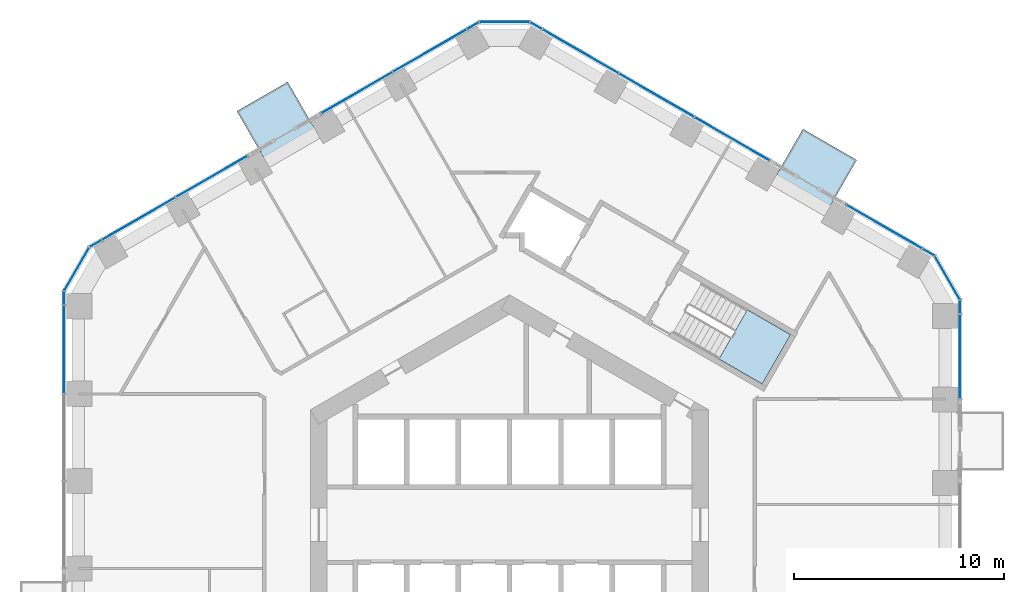
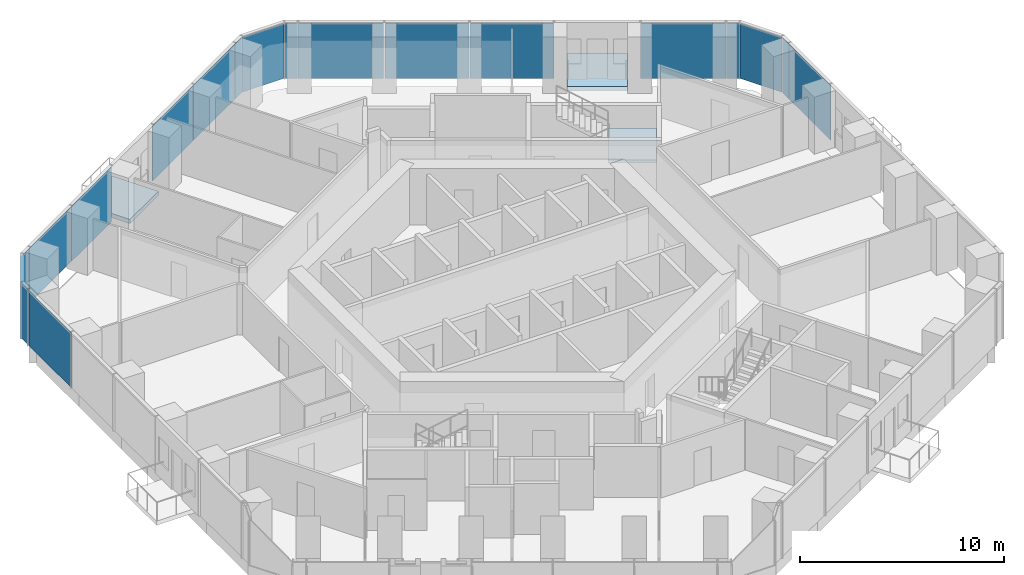
# One storey, part 11 of 19: 19 plates, 3 slabs, 10 elements without a shape of their own.
"""IFC4 building model written with IfcOpenShell, lengths in metres."""

from ifc_helpers import new_model, si_unit, direction, frame, origin, origin_2d, place, context, subcontext, project, spatial, polyline, rectangle, outline, extrude, material, layer, layer_set, type_object, element, aggregate, save


model = new_model("IFC4")

# Units and contexts
model_context = context("Model", 3, precision=1e-05, world=origin(), true_north=direction((0.0, 1.0)))
body_context = subcontext(model_context, "Body", "Model", "MODEL_VIEW")
ifc_project = project(units=[si_unit("LENGTHUNIT", "METRE"), si_unit("AREAUNIT", "SQUARE_METRE"), si_unit("VOLUMEUNIT", "CUBIC_METRE"), si_unit("PLANEANGLEUNIT", "RADIAN"), si_unit("MASSUNIT", "GRAM", prefix="KILO")], contexts=[model_context])

# Site, building, storey
site_placement = place(None, origin())
site = spatial("IfcSite", under=ifc_project, at=site_placement, CompositionType="ELEMENT")
building_placement = place(site_placement, origin())
building = spatial("IfcBuilding", under=site, at=building_placement, Name="Ayvan Gate Tower", CompositionType="ELEMENT")
storey_placement = place(building_placement, frame((0.0, 0.0, 39.10009765625)))
storey = spatial("IfcBuildingStorey", under=building, at=storey_placement, Name="L09", CompositionType="ELEMENT", Elevation=39.10009765625)

# Slabs
ifc_material_1 = material(Name="Concrete C40/50", Category="concrete")
ifc_layer_1 = layer(ifc_material_1, 0.25)
ifc_layer_set_1 = layer_set([ifc_layer_1], Name="Concrete C40/50")
slab_type_1 = type_object("IfcSlabType", Name="Balcony slab 250", PredefinedType="FLOOR", material=ifc_layer_set_1)
slab_1_placement = place(storey_placement, frame((0.0, 0.0, -0.25)))
element("IfcSlab", 1, at=slab_1_placement, inside=storey, type_object=slab_type_1, Name="Balcony slab BAL-L09-2", PredefinedType="FLOOR", context=body_context, shape_type="SweptSolid", body=[
    extrude(outline(polyline([(-9.180908203125, 18.699462890625), (-11.603759765625, 17.300537109375), (-13.003662109375, 19.7255859375), (-10.580810546875, 21.124267578125), (-9.180908203125, 18.699462890625)])), origin(), (0.0, 0.0, 1.0), 0.25),
])
slab_2_placement = place(storey_placement, frame((0.0, 0.0, -0.25)))
element("IfcSlab", 2, at=slab_2_placement, inside=storey, type_object=slab_type_1, Name="Balcony slab BAL-L09-1", PredefinedType="FLOOR", context=body_context, shape_type="SweptSolid", body=[
    extrude(outline(polyline([(15.16064453125, 14.972900390625), (12.595458984375, 16.453857421875), (13.995361328125, 18.87890625), (16.560546875, 17.397705078125), (15.16064453125, 14.972900390625)])), origin(), (0.0, 0.0, 1.0), 0.25),
])

# Stair, slab
stair_type = type_object("IfcStairType", Name="ST-EXIT", PredefinedType="HALF_TURN_STAIR", material=ifc_material_1)
stair_placement = place(storey_placement, origin())
stair = element("IfcStair", 3, at=stair_placement, inside=storey, type_object=stair_type, Name="L09 Exit Stair S1", PredefinedType="HALF_TURN_STAIR")
ifc_layer_2 = layer(ifc_material_1, 0.199951171875)
ifc_layer_set_2 = layer_set([ifc_layer_2], Name="Concrete C40/50")
slab_type_2 = type_object("IfcSlabType", Name="SL-LANDING-200", PredefinedType="LANDING", material=ifc_layer_set_2)
slab_3_placement = place(storey_placement, frame((0.0, 0.0, 1.5)))
slab_3 = element("IfcSlab", 4, at=slab_3_placement, type_object=slab_type_2, Name="STS1 landing 1", PredefinedType="LANDING", context=body_context, shape_type="SweptSolid", body=[
    extrude(outline(polyline([(9.988525390625, 7.91064453125), (12.049560546875, 6.720458984375), (13.404541015625, 9.0673828125), (11.343505859375, 10.257568359375), (9.988525390625, 7.91064453125)])), origin(), (0.0, 0.0, 1.0), 0.199951171875),
])
aggregate(stair, [slab_3])

# Curtain wall, plates
ifc_material_2 = material(Name="Bronze anodised aluminium", Category="aluminium")
ifc_layer_3 = layer(ifc_material_2, 0.199951171875)
ifc_layer_set_3 = layer_set([ifc_layer_3], Name="Bronze anodised aluminium")
curtain_wall_type_1 = type_object("IfcCurtainWallType", Name="Stick curtain wall CW-1", PredefinedType="NOTDEFINED", material=ifc_layer_set_3)
curtain_wall_1_placement = place(storey_placement, origin())
curtain_wall_1 = element("IfcCurtainWall", 5, at=curtain_wall_1_placement, inside=storey, type_object=curtain_wall_type_1, Name="Stick curtain wall CW-1 L09", PredefinedType="NOTDEFINED")
ifc_material_3 = material(Name="Clear low-iron laminated glass", Category="glass")
ifc_layer_4 = layer(ifc_material_3, 0.028076171875)
ifc_layer_set_4 = layer_set([ifc_layer_4], Name="Clear low-iron laminated glass")
plate_type_1 = type_object("IfcPlateType", Name="Stick curtain wall CW-1 glass panel", PredefinedType="CURTAIN_PANEL", material=ifc_layer_set_4)
plate_1_placement = place(storey_placement, frame((-3.787353515625, 22.621826171875, 0.0), z_axis=(0.0, 0.0, 1.0), x_axis=(-0.866025403784, -0.5, 0.0)))
plate_1 = element("IfcPlate", 6, at=plate_1_placement, type_object=plate_type_1, Name="CW-1 glass panel 1", PredefinedType="CURTAIN_PANEL", context=body_context, shape_type="SweptSolid", body=[
    extrude(rectangle(XDim=4.050048828125, YDim=0.028076171875, at=origin_2d()), origin(), (0.0, 0.0, 1.0), 3.280029296875),
])
plate_2_placement = place(storey_placement, frame((-7.2919921875, 20.59814453125, 0.0), z_axis=(0.0, 0.0, 1.0), x_axis=(-0.866025403784, -0.5, 0.0)))
plate_2 = element("IfcPlate", 7, at=plate_2_placement, type_object=plate_type_1, Name="CW-1 glass panel 2", PredefinedType="CURTAIN_PANEL", context=body_context, shape_type="SweptSolid", body=[
    extrude(rectangle(XDim=3.924072265625, YDim=0.028076171875, at=origin_2d()), origin(), (0.0, 0.0, 1.0), 3.280029296875),
])
aggregate(curtain_wall_1, [plate_1, plate_2])

curtain_wall_2_placement = place(storey_placement, origin())
curtain_wall_2 = element("IfcCurtainWall", 8, at=curtain_wall_2_placement, inside=storey, type_object=curtain_wall_type_1, Name="Stick curtain wall CW-1 L09", PredefinedType="NOTDEFINED")
plate_3_placement = place(storey_placement, frame((-14.192626953125, 16.6142578125, 0.0), z_axis=(0.0, 0.0, 1.0), x_axis=(-0.866025403784, -0.5, 0.0)))
plate_3 = element("IfcPlate", 9, at=plate_3_placement, type_object=plate_type_1, Name="CW-1 glass panel 1", PredefinedType="CURTAIN_PANEL", context=body_context, shape_type="SweptSolid", body=[
    extrude(rectangle(XDim=3.924072265625, YDim=0.028076171875, at=origin_2d()), origin(), (0.0, 0.0, 1.0), 3.280029296875),
])
plate_4_placement = place(storey_placement, frame((-17.697265625, 14.5908203125, 0.0), z_axis=(0.0, 0.0, 1.0), x_axis=(-0.866025403784, -0.5, 0.0)))
plate_4 = element("IfcPlate", 10, at=plate_4_placement, type_object=plate_type_1, Name="CW-1 glass panel 2", PredefinedType="CURTAIN_PANEL", context=body_context, shape_type="SweptSolid", body=[
    extrude(rectangle(XDim=4.050048828125, YDim=0.028076171875, at=origin_2d()), origin(), (0.0, 0.0, 1.0), 3.280029296875),
])
aggregate(curtain_wall_2, [plate_3, plate_4])

# Curtain wall, plate
curtain_wall_3_placement = place(storey_placement, origin())
curtain_wall_3 = element("IfcCurtainWall", 11, at=curtain_wall_3_placement, inside=storey, type_object=curtain_wall_type_1, Name="Stick curtain wall CW-1 L09", PredefinedType="NOTDEFINED")
plate_5_placement = place(storey_placement, frame((-21.247314453125, 8.375244140625, 0.0), z_axis=(0.0, 0.0, 1.0), x_axis=(0.0, -1.0, 0.0)))
plate_5 = element("IfcPlate", 12, at=plate_5_placement, type_object=plate_type_1, Name="CW-1 glass panel 1", PredefinedType="CURTAIN_PANEL", context=body_context, shape_type="SweptSolid", body=[
    extrude(rectangle(XDim=4.18408203125, YDim=0.028076171875, at=origin_2d()), origin(), (0.0, 0.0, 1.0), 3.280029296875),
])
aggregate(curtain_wall_3, [plate_5])

curtain_wall_4_placement = place(storey_placement, origin())
curtain_wall_4 = element("IfcCurtainWall", 13, at=curtain_wall_4_placement, inside=storey, type_object=curtain_wall_type_1, Name="Stick curtain wall CW-1 L09", PredefinedType="NOTDEFINED")
plate_6_placement = place(storey_placement, frame((21.484619140625, 8.031005859375, 0.0), z_axis=(0.0, 0.0, 1.0), x_axis=(0.0, 1.0, 0.0)))
plate_6 = element("IfcPlate", 14, at=plate_6_placement, type_object=plate_type_1, Name="CW-1 glass panel 1", PredefinedType="CURTAIN_PANEL", context=body_context, shape_type="SweptSolid", body=[
    extrude(rectangle(XDim=4.050048828125, YDim=0.028076171875, at=origin_2d()), origin(), (0.0, 0.0, 1.0), 3.280029296875),
])
aggregate(curtain_wall_4, [plate_6])

curtain_wall_5_placement = place(storey_placement, origin())
curtain_wall_5 = element("IfcCurtainWall", 15, at=curtain_wall_5_placement, inside=storey, type_object=curtain_wall_type_1, Name="Stick curtain wall CW-1 L09", PredefinedType="NOTDEFINED")
plate_7_placement = place(storey_placement, frame((17.876708984375, 14.213134765625, 0.0), z_axis=(0.0, 0.0, 1.0), x_axis=(-0.866025403784, 0.5, 0.0)))
plate_7 = element("IfcPlate", 16, at=plate_7_placement, type_object=plate_type_1, Name="CW-1 glass panel 1", PredefinedType="CURTAIN_PANEL", context=body_context, shape_type="SweptSolid", body=[
    extrude(rectangle(XDim=4.18408203125, YDim=0.028076171875, at=origin_2d()), origin(), (0.0, 0.0, 1.0), 3.280029296875),
])
aggregate(curtain_wall_5, [plate_7])

# Curtain wall, plates
curtain_wall_6_placement = place(storey_placement, origin())
curtain_wall_6 = element("IfcCurtainWall", 17, at=curtain_wall_6_placement, inside=storey, type_object=curtain_wall_type_1, Name="Stick curtain wall CW-1 L09", PredefinedType="NOTDEFINED")
plate_8_placement = place(storey_placement, frame((10.623291015625, 18.40087890625, 0.0), z_axis=(0.0, 0.0, 1.0), x_axis=(-0.866025403784, 0.5, 0.0)))
plate_8 = element("IfcPlate", 18, at=plate_8_placement, type_object=plate_type_1, Name="CW-1 glass panel 1", PredefinedType="CURTAIN_PANEL", context=body_context, shape_type="SweptSolid", body=[
    extrude(rectangle(XDim=4.10888671875, YDim=0.028076171875, at=origin_2d()), origin(), (0.0, 0.0, 1.0), 3.280029296875),
])
plate_9_placement = place(storey_placement, frame((7.01318359375, 20.485107421875, 0.0), z_axis=(0.0, 0.0, 1.0), x_axis=(-0.866025403784, 0.5, 0.0)))
plate_9 = element("IfcPlate", 19, at=plate_9_placement, type_object=plate_type_1, Name="CW-1 glass panel 2", PredefinedType="CURTAIN_PANEL", context=body_context, shape_type="SweptSolid", body=[
    extrude(rectangle(XDim=4.10791015625, YDim=0.028076171875, at=origin_2d()), origin(), (0.0, 0.0, 1.0), 3.280029296875),
])
plate_10_placement = place(storey_placement, frame((3.37060546875, 22.588134765625, 0.0), z_axis=(0.0, 0.0, 1.0), x_axis=(-0.866025403784, 0.5, 0.0)))
plate_10 = element("IfcPlate", 20, at=plate_10_placement, type_object=plate_type_1, Name="CW-1 glass panel 3", PredefinedType="CURTAIN_PANEL", context=body_context, shape_type="SweptSolid", body=[
    extrude(rectangle(XDim=4.184326171875, YDim=0.028076171875, at=origin_2d()), origin(), (0.0, 0.0, 1.0), 3.280029296875),
])
aggregate(curtain_wall_6, [plate_8, plate_9, plate_10])

ifc_layer_5 = layer(ifc_material_2, 0.199951171875)
ifc_layer_set_5 = layer_set([ifc_layer_5], Name="Bronze anodised aluminium")
curtain_wall_type_2 = type_object("IfcCurtainWallType", Name="Stick curtain wall CW-6", PredefinedType="NOTDEFINED", material=ifc_layer_set_5)
curtain_wall_7_placement = place(storey_placement, origin())
curtain_wall_7 = element("IfcCurtainWall", 21, at=curtain_wall_7_placement, inside=storey, type_object=curtain_wall_type_2, Name="Stick curtain wall CW-6 L09", PredefinedType="NOTDEFINED")
ifc_layer_6 = layer(ifc_material_3, 0.028076171875)
ifc_layer_set_6 = layer_set([ifc_layer_6], Name="Clear low-iron laminated glass")
plate_type_2 = type_object("IfcPlateType", Name="Stick curtain wall CW-6 glass panel", PredefinedType="CURTAIN_PANEL", material=ifc_layer_set_6)
plate_11_placement = place(storey_placement, frame((-19.74755859375, 13.406982421875, 0.0), z_axis=(0.0, 0.0, 1.0), x_axis=(-0.866025403784, -0.5, 0.0)))
plate_11 = element("IfcPlate", 22, at=plate_11_placement, type_object=plate_type_2, Name="CW-6 glass panel 1", PredefinedType="CURTAIN_PANEL", context=body_context, shape_type="SweptSolid", body=[
    extrude(rectangle(XDim=0.625, YDim=0.028076171875, at=origin_2d()), origin(), (0.0, 0.0, 1.0), 3.280029296875),
])
plate_12_placement = place(storey_placement, frame((-20.6435546875, 12.192626953125, 0.0), z_axis=(0.0, 0.0, 1.0), x_axis=(-0.5, -0.866025403784, 0.0)))
plate_12 = element("IfcPlate", 23, at=plate_12_placement, type_object=plate_type_2, Name="CW-6 glass panel 2", PredefinedType="CURTAIN_PANEL", context=body_context, shape_type="SweptSolid", body=[
    extrude(rectangle(XDim=2.364501953125, YDim=0.028076171875, at=origin_2d()), origin(), (0.0, 0.0, 1.0), 3.280029296875),
])
plate_13_placement = place(storey_placement, frame((-21.247314453125, 10.8095703125, 0.0), z_axis=(0.0, 0.0, 1.0), x_axis=(0.0, -1.0, 0.0)))
plate_13 = element("IfcPlate", 24, at=plate_13_placement, type_object=plate_type_2, Name="CW-6 glass panel 3", PredefinedType="CURTAIN_PANEL", context=body_context, shape_type="SweptSolid", body=[
    extrude(rectangle(XDim=0.625, YDim=0.028076171875, at=origin_2d()), origin(), (0.0, 0.0, 1.0), 3.280029296875),
])
aggregate(curtain_wall_7, [plate_11, plate_12, plate_13])

curtain_wall_8_placement = place(storey_placement, origin())
curtain_wall_8 = element("IfcCurtainWall", 25, at=curtain_wall_8_placement, inside=storey, type_object=curtain_wall_type_2, Name="Stick curtain wall CW-6 L09", PredefinedType="NOTDEFINED")
plate_14_placement = place(storey_placement, frame((21.484619140625, 10.3984375, 0.0), z_axis=(0.0, 0.0, 1.0), x_axis=(0.0, 1.0, 0.0)))
plate_14 = element("IfcPlate", 26, at=plate_14_placement, type_object=plate_type_2, Name="CW-6 glass panel 1", PredefinedType="CURTAIN_PANEL", context=body_context, shape_type="SweptSolid", body=[
    extrude(rectangle(XDim=0.625, YDim=0.028076171875, at=origin_2d()), origin(), (0.0, 0.0, 1.0), 3.280029296875),
])
plate_15_placement = place(storey_placement, frame((20.880859375, 11.781494140625, 0.0), z_axis=(0.0, 0.0, 1.0), x_axis=(-0.5, 0.866025403784, 0.0)))
plate_15 = element("IfcPlate", 27, at=plate_15_placement, type_object=plate_type_2, Name="CW-6 glass panel 2", PredefinedType="CURTAIN_PANEL", context=body_context, shape_type="SweptSolid", body=[
    extrude(rectangle(XDim=2.364501953125, YDim=0.028076171875, at=origin_2d()), origin(), (0.0, 0.0, 1.0), 3.280029296875),
])
plate_16_placement = place(storey_placement, frame((19.985107421875, 12.995849609375, 0.0), z_axis=(0.0, 0.0, 1.0), x_axis=(-0.866025403784, 0.5, 0.0)))
plate_16 = element("IfcPlate", 28, at=plate_16_placement, type_object=plate_type_2, Name="CW-6 glass panel 3", PredefinedType="CURTAIN_PANEL", context=body_context, shape_type="SweptSolid", body=[
    extrude(rectangle(XDim=0.625, YDim=0.028076171875, at=origin_2d()), origin(), (0.0, 0.0, 1.0), 3.280029296875),
])
aggregate(curtain_wall_8, [plate_14, plate_15, plate_16])

curtain_wall_9_placement = place(storey_placement, origin())
curtain_wall_9 = element("IfcCurtainWall", 29, at=curtain_wall_9_placement, inside=storey, type_object=curtain_wall_type_2, Name="Stick curtain wall CW-6 L09", PredefinedType="NOTDEFINED")
plate_17_placement = place(storey_placement, frame((1.26220703125, 23.805419921875, 0.0), z_axis=(0.0, 0.0, 1.0), x_axis=(-0.866025403784, 0.5, 0.0)))
plate_17 = element("IfcPlate", 30, at=plate_17_placement, type_object=plate_type_2, Name="CW-6 glass panel 1", PredefinedType="CURTAIN_PANEL", context=body_context, shape_type="SweptSolid", body=[
    extrude(rectangle(XDim=0.625, YDim=0.028076171875, at=origin_2d()), origin(), (0.0, 0.0, 1.0), 3.280029296875),
])
plate_18_placement = place(storey_placement, frame((-0.2373046875, 23.97412109375, 0.0), z_axis=(0.0, 0.0, 1.0), x_axis=(-1.0, 0.0, 0.0)))
plate_18 = element("IfcPlate", 31, at=plate_18_placement, type_object=plate_type_2, Name="CW-6 glass panel 2", PredefinedType="CURTAIN_PANEL", context=body_context, shape_type="SweptSolid", body=[
    extrude(rectangle(XDim=2.364501953125, YDim=0.028076171875, at=origin_2d()), origin(), (0.0, 0.0, 1.0), 3.280029296875),
])
plate_19_placement = place(storey_placement, frame((-1.737060546875, 23.805419921875, 0.0), z_axis=(0.0, 0.0, 1.0), x_axis=(-0.866025403784, -0.5, 0.0)))
plate_19 = element("IfcPlate", 32, at=plate_19_placement, type_object=plate_type_2, Name="CW-6 glass panel 3", PredefinedType="CURTAIN_PANEL", context=body_context, shape_type="SweptSolid", body=[
    extrude(rectangle(XDim=0.625, YDim=0.028076171875, at=origin_2d()), origin(), (0.0, 0.0, 1.0), 3.280029296875),
])
aggregate(curtain_wall_9, [plate_17, plate_18, plate_19])

save(model, "model.ifc")
